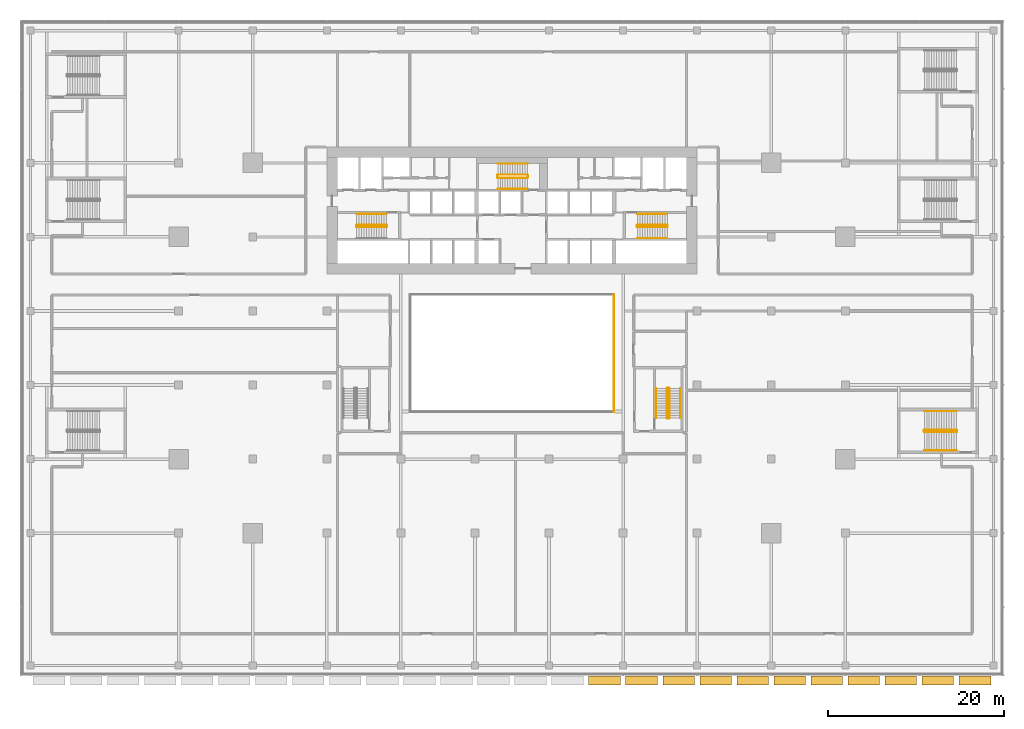
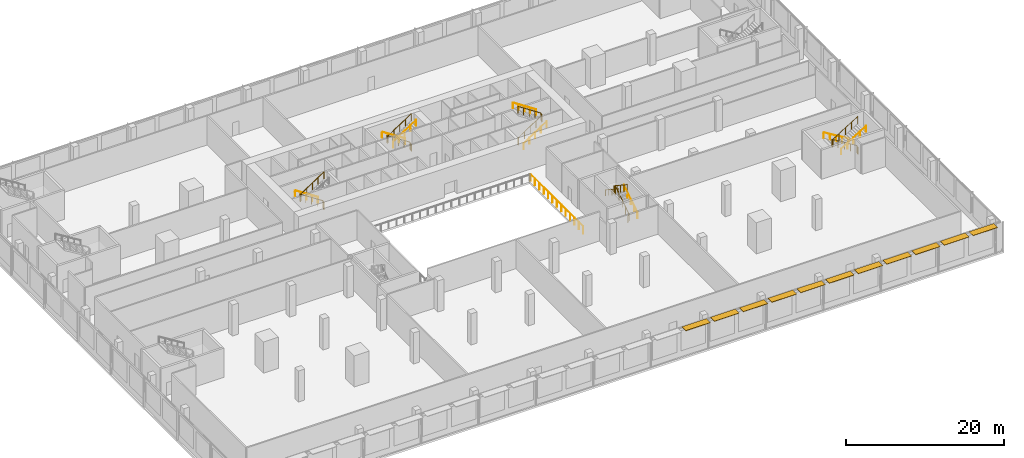
# One storey, part 38 of 39: 15 railings, 11 shading devices.
"""IFC4 building model written with IfcOpenShell, lengths in metres."""

from ifc_helpers import new_model, si_unit, direction, frame, origin, origin_2d, place, context, subcontext, project, spatial, rectangle, circle, extrude, material, type_object, element, save


model = new_model("IFC4")

# Units and contexts
model_context = context("Model", 3, precision=1e-05, world=origin(), true_north=direction((0.0, 1.0)))
body_context = subcontext(model_context, "Body", "Model", "MODEL_VIEW")
ifc_project = project(units=[si_unit("LENGTHUNIT", "METRE"), si_unit("AREAUNIT", "SQUARE_METRE"), si_unit("VOLUMEUNIT", "CUBIC_METRE"), si_unit("PLANEANGLEUNIT", "RADIAN"), si_unit("MASSUNIT", "GRAM", prefix="KILO")], contexts=[model_context])

# Site, building, storey
site_placement = place(None, origin())
site = spatial("IfcSite", under=ifc_project, at=site_placement, CompositionType="ELEMENT")
building_placement = place(site_placement, origin())
building = spatial("IfcBuilding", under=site, at=building_placement, Name="Saffron Gate Tower", CompositionType="ELEMENT")
storey_placement = place(building_placement, frame((0.0, 0.0, 14.39990234375)))
storey = spatial("IfcBuildingStorey", under=building, at=storey_placement, Name="L02", CompositionType="ELEMENT", Elevation=14.39990234375)

# Railings
ifc_material_1 = material(Name="Stainless steel and laminated glass", Category="steel")
railing_type_1 = type_object("IfcRailingType", Name="AG1 Atrium edge guard 1100", PredefinedType="GUARDRAIL", material=ifc_material_1)
railing_1_placement = place(storey_placement, frame((99.179931640625, 58.860107421875, 0.0)))
element("IfcRailing", 1, at=railing_1_placement, inside=storey, type_object=railing_type_1, Name="Guard P2-3", PredefinedType="GUARDRAIL", context=body_context, shape_type="SweptSolid", body=[
    extrude(circle(Radius=0.02392578125, at=origin_2d()), frame((0.0, 0.0, 1.076171875), z_axis=(0.0, -1.0, 0.0), x_axis=(1.0, 0.0, 0.0)), (0.0, 0.0, 1.0), 13.320068359375),
    extrude(circle(Radius=0.02099609375, at=origin_2d()), origin(), (0.0, 0.0, 1.0), 1.052001953125),
    extrude(circle(Radius=0.02099609375, at=origin_2d()), frame((0.0, -1.110107421875, 0.0)), (0.0, 0.0, 1.0), 1.052001953125),
    extrude(circle(Radius=0.02099609375, at=origin_2d()), frame((0.0, -2.219970703125, 0.0)), (0.0, 0.0, 1.0), 1.052001953125),
    extrude(circle(Radius=0.02099609375, at=origin_2d()), frame((0.0, -3.330078125, 0.0)), (0.0, 0.0, 1.0), 1.052001953125),
    extrude(circle(Radius=0.02099609375, at=origin_2d()), frame((0.0, -4.43994140625, 0.0)), (0.0, 0.0, 1.0), 1.052001953125),
    extrude(circle(Radius=0.02099609375, at=origin_2d()), frame((0.0, -5.550048828125, 0.0)), (0.0, 0.0, 1.0), 1.052001953125),
    extrude(circle(Radius=0.02099609375, at=origin_2d()), frame((0.0, -6.66015625, 0.0)), (0.0, 0.0, 1.0), 1.052001953125),
    extrude(circle(Radius=0.02099609375, at=origin_2d()), frame((0.0, -7.77001953125, 0.0)), (0.0, 0.0, 1.0), 1.052001953125),
    extrude(circle(Radius=0.02099609375, at=origin_2d()), frame((0.0, -8.880126953125, 0.0)), (0.0, 0.0, 1.0), 1.052001953125),
    extrude(circle(Radius=0.02099609375, at=origin_2d()), frame((0.0, -9.989990234375, 0.0)), (0.0, 0.0, 1.0), 1.052001953125),
    extrude(circle(Radius=0.02099609375, at=origin_2d()), frame((0.0, -11.10009765625, 0.0)), (0.0, 0.0, 1.0), 1.052001953125),
    extrude(circle(Radius=0.02099609375, at=origin_2d()), frame((0.0, -12.2099609375, 0.0)), (0.0, 0.0, 1.0), 1.052001953125),
    extrude(circle(Radius=0.02099609375, at=origin_2d()), frame((0.0, -13.320068359375, 0.0)), (0.0, 0.0, 1.0), 1.052001953125),
])
railing_type_2 = type_object("IfcRailingType", Name="CR1 Stair guard 1100", PredefinedType="GUARDRAIL", material=ifc_material_1)
railing_2_placement = place(storey_placement, frame((73.39990234375, 66.550048828125, 0.0)))
element("IfcRailing", 2, at=railing_2_placement, inside=storey, type_object=railing_type_2, Name="L02 ST-A stair guard 1", PredefinedType="GUARDRAIL", context=body_context, shape_type="SweptSolid", body=[
    extrude(circle(Radius=0.02392578125, at=origin_2d()), frame((0.0, 0.0, 1.076171875), z_axis=(0.0, 1.0, 0.0), x_axis=(-1.0, 0.0, 0.0)), (0.0, 0.0, 1.0), 0.14990234375),
    extrude(circle(Radius=0.02392578125, at=origin_2d()), frame((0.0, 0.14990234375, 1.076171875), z_axis=(-0.251738688881, 0.252972702061, 0.934147977856), x_axis=(-0.708833529934, -0.705375805398, 0.0)), (0.0, 0.0, 1.0), 0.19775390625),
    extrude(circle(Radius=0.02392578125, at=origin_2d()), frame((-0.0498046875, 0.199951171875, 1.2607421875), z_axis=(-0.834876476806, 0.0, 0.550437342915), x_axis=(0.0, -1.0, 0.0)), (0.0, 0.0, 1.0), 4.024658203125),
    extrude(circle(Radius=0.02392578125, at=origin_2d()), frame((-3.409912109375, 0.199951171875, 3.47607421875), z_axis=(-0.707106781187, -0.707106781187, 0.0), x_axis=(0.707106781187, -0.707106781187, 0.0)), (0.0, 0.0, 1.0), 0.07080078125),
    extrude(circle(Radius=0.02392578125, at=origin_2d()), frame((-3.4599609375, 0.14990234375, 3.47607421875), z_axis=(0.0, -1.0, 0.0), x_axis=(1.0, 0.0, 0.0)), (0.0, 0.0, 1.0), 0.14990234375),
    extrude(circle(Radius=0.02392578125, at=origin_2d()), frame((-3.4599609375, 0.0, 3.47607421875), z_axis=(0.253185614162, -0.253185614162, 0.933699142959), x_axis=(0.707106781187, 0.707106781187, 0.0)), (0.0, 0.0, 1.0), 0.19775390625),
    extrude(circle(Radius=0.02392578125, at=origin_2d()), frame((-3.409912109375, -0.050048828125, 3.66064453125), z_axis=(0.834876476806, 0.0, 0.550437342915), x_axis=(0.0, 1.0, 0.0)), (0.0, 0.0, 1.0), 4.024658203125),
    extrude(circle(Radius=0.02099609375, at=origin_2d()), origin(), (0.0, 0.0, 1.0), 1.052001953125),
    extrude(circle(Radius=0.02099609375, at=origin_2d()), frame((0.0, 0.14990234375, 0.0)), (0.0, 0.0, 1.0), 1.052001953125),
    extrude(circle(Radius=0.02099609375, at=origin_2d()), frame((-0.0498046875, 0.199951171875, 0.184814453125)), (0.0, 0.0, 1.0), 1.052001953125),
    extrude(circle(Radius=0.02099609375, at=origin_2d()), frame((-0.889892578125, 0.199951171875, 0.73876953125)), (0.0, 0.0, 1.0), 1.052001953125),
    extrude(circle(Radius=0.02099609375, at=origin_2d()), frame((-1.72998046875, 0.199951171875, 1.29248046875)), (0.0, 0.0, 1.0), 1.052001953125),
    extrude(circle(Radius=0.02099609375, at=origin_2d()), frame((-2.56982421875, 0.199951171875, 1.84619140625)), (0.0, 0.0, 1.0), 1.052001953125),
    extrude(circle(Radius=0.02099609375, at=origin_2d()), frame((-3.409912109375, 0.199951171875, 2.400146484375)), (0.0, 0.0, 1.0), 1.052001953125),
    extrude(circle(Radius=0.02099609375, at=origin_2d()), frame((-3.4599609375, 0.14990234375, 2.400146484375)), (0.0, 0.0, 1.0), 1.052001953125),
    extrude(circle(Radius=0.02099609375, at=origin_2d()), frame((-3.4599609375, 0.0, 2.400146484375)), (0.0, 0.0, 1.0), 1.052001953125),
    extrude(circle(Radius=0.02099609375, at=origin_2d()), frame((-3.409912109375, -0.050048828125, 2.584716796875)), (0.0, 0.0, 1.0), 1.052001953125),
    extrude(circle(Radius=0.02099609375, at=origin_2d()), frame((-2.56982421875, -0.050048828125, 3.138671875)), (0.0, 0.0, 1.0), 1.052001953125),
    extrude(circle(Radius=0.02099609375, at=origin_2d()), frame((-1.72998046875, -0.050048828125, 3.6923828125)), (0.0, 0.0, 1.0), 1.052001953125),
    extrude(circle(Radius=0.02099609375, at=origin_2d()), frame((-0.889892578125, -0.050048828125, 4.24609375)), (0.0, 0.0, 1.0), 1.052001953125),
    extrude(circle(Radius=0.02099609375, at=origin_2d()), frame((-0.0498046875, -0.050048828125, 4.800048828125)), (0.0, 0.0, 1.0), 1.052001953125),
])
railing_3_placement = place(storey_placement, frame((101.800048828125, 66.699951171875, 0.0)))
element("IfcRailing", 3, at=railing_3_placement, inside=storey, type_object=railing_type_2, Name="L02 ST-B stair guard 1", PredefinedType="GUARDRAIL", context=body_context, shape_type="SweptSolid", body=[
    extrude(circle(Radius=0.02392578125, at=origin_2d()), frame((0.0, 0.0, 1.076171875), z_axis=(0.0, -1.0, 0.0), x_axis=(1.0, 0.0, 0.0)), (0.0, 0.0, 1.0), 0.14990234375),
    extrude(circle(Radius=0.02392578125, at=origin_2d()), frame((0.0, -0.14990234375, 1.076171875), z_axis=(0.252893960547, -0.252893960547, 0.933857210411), x_axis=(0.707106781187, 0.707106781187, 0.0)), (0.0, 0.0, 1.0), 0.197998046875),
    extrude(circle(Radius=0.02392578125, at=origin_2d()), frame((0.050048828125, -0.199951171875, 1.2607421875), z_axis=(0.834858096282, 0.0, 0.550465220583), x_axis=(0.0, 1.0, 0.0)), (0.0, 0.0, 1.0), 4.0244140625),
    extrude(circle(Radius=0.02392578125, at=origin_2d()), frame((3.409912109375, -0.199951171875, 3.47607421875), z_axis=(0.707106781187, 0.707106781187, 0.0), x_axis=(-0.707106781187, 0.707106781187, 0.0)), (0.0, 0.0, 1.0), 0.07080078125),
    extrude(circle(Radius=0.02392578125, at=origin_2d()), frame((3.4599609375, -0.14990234375, 3.47607421875), z_axis=(0.0, 1.0, 0.0), x_axis=(-1.0, 0.0, 0.0)), (0.0, 0.0, 1.0), 0.14990234375),
    extrude(circle(Radius=0.02392578125, at=origin_2d()), frame((3.4599609375, 0.0, 3.47607421875), z_axis=(-0.253185614162, 0.253185614162, 0.933699142959), x_axis=(-0.707106781187, -0.707106781187, 0.0)), (0.0, 0.0, 1.0), 0.19775390625),
    extrude(circle(Radius=0.02392578125, at=origin_2d()), frame((3.409912109375, 0.050048828125, 3.66064453125), z_axis=(-0.834858096282, 0.0, 0.550465220583), x_axis=(0.0, -1.0, 0.0)), (0.0, 0.0, 1.0), 4.0244140625),
    extrude(circle(Radius=0.02099609375, at=origin_2d()), origin(), (0.0, 0.0, 1.0), 1.052001953125),
    extrude(circle(Radius=0.02099609375, at=origin_2d()), frame((0.0, -0.14990234375, 0.0)), (0.0, 0.0, 1.0), 1.052001953125),
    extrude(circle(Radius=0.02099609375, at=origin_2d()), frame((0.050048828125, -0.199951171875, 0.184814453125)), (0.0, 0.0, 1.0), 1.052001953125),
    extrude(circle(Radius=0.02099609375, at=origin_2d()), frame((0.89013671875, -0.199951171875, 0.73876953125)), (0.0, 0.0, 1.0), 1.052001953125),
    extrude(circle(Radius=0.02099609375, at=origin_2d()), frame((1.72998046875, -0.199951171875, 1.29248046875)), (0.0, 0.0, 1.0), 1.052001953125),
    extrude(circle(Radius=0.02099609375, at=origin_2d()), frame((2.56982421875, -0.199951171875, 1.84619140625)), (0.0, 0.0, 1.0), 1.052001953125),
    extrude(circle(Radius=0.02099609375, at=origin_2d()), frame((3.409912109375, -0.199951171875, 2.400146484375)), (0.0, 0.0, 1.0), 1.052001953125),
    extrude(circle(Radius=0.02099609375, at=origin_2d()), frame((3.4599609375, -0.14990234375, 2.400146484375)), (0.0, 0.0, 1.0), 1.052001953125),
    extrude(circle(Radius=0.02099609375, at=origin_2d()), frame((3.4599609375, 0.0, 2.400146484375)), (0.0, 0.0, 1.0), 1.052001953125),
    extrude(circle(Radius=0.02099609375, at=origin_2d()), frame((3.409912109375, 0.050048828125, 2.584716796875)), (0.0, 0.0, 1.0), 1.052001953125),
    extrude(circle(Radius=0.02099609375, at=origin_2d()), frame((2.56982421875, 0.050048828125, 3.138671875)), (0.0, 0.0, 1.0), 1.052001953125),
    extrude(circle(Radius=0.02099609375, at=origin_2d()), frame((1.72998046875, 0.050048828125, 3.6923828125)), (0.0, 0.0, 1.0), 1.052001953125),
    extrude(circle(Radius=0.02099609375, at=origin_2d()), frame((0.89013671875, 0.050048828125, 4.24609375)), (0.0, 0.0, 1.0), 1.052001953125),
    extrude(circle(Radius=0.02099609375, at=origin_2d()), frame((0.050048828125, 0.050048828125, 4.800048828125)), (0.0, 0.0, 1.0), 1.052001953125),
])
railing_4_placement = place(storey_placement, frame((89.39990234375, 72.14990234375, 0.0)))
element("IfcRailing", 4, at=railing_4_placement, inside=storey, type_object=railing_type_2, Name="L02 ST-C stair guard 1", PredefinedType="GUARDRAIL", context=body_context, shape_type="SweptSolid", body=[
    extrude(circle(Radius=0.02392578125, at=origin_2d()), frame((0.0, 0.0, 1.076171875), z_axis=(0.0, 1.0, 0.0), x_axis=(-1.0, 0.0, 0.0)), (0.0, 0.0, 1.0), 0.25),
    extrude(circle(Radius=0.02392578125, at=origin_2d()), frame((0.0, 0.25, 1.076171875), z_axis=(-0.251738688881, 0.252972702061, 0.934147977856), x_axis=(-0.708833529934, -0.705375805398, 0.0)), (0.0, 0.0, 1.0), 0.19775390625),
    extrude(circle(Radius=0.02392578125, at=origin_2d()), frame((-0.0498046875, 0.300048828125, 1.2607421875), z_axis=(-0.834876476806, 0.0, 0.550437342915), x_axis=(0.0, -1.0, 0.0)), (0.0, 0.0, 1.0), 4.024658203125),
    extrude(circle(Radius=0.02392578125, at=origin_2d()), frame((-3.409912109375, 0.300048828125, 3.47607421875), z_axis=(-0.707106781187, -0.707106781187, 0.0), x_axis=(0.707106781187, -0.707106781187, 0.0)), (0.0, 0.0, 1.0), 0.07080078125),
    extrude(circle(Radius=0.02392578125, at=origin_2d()), frame((-3.4599609375, 0.25, 3.47607421875), z_axis=(0.0, -1.0, 0.0), x_axis=(1.0, 0.0, 0.0)), (0.0, 0.0, 1.0), 0.25),
    extrude(circle(Radius=0.02392578125, at=origin_2d()), frame((-3.4599609375, 0.0, 3.47607421875), z_axis=(0.253264628505, -0.252029191293, 0.933990532438), x_axis=(0.705375805398, 0.708833529934, 0.0)), (0.0, 0.0, 1.0), 0.197509765625),
    extrude(circle(Radius=0.02392578125, at=origin_2d()), frame((-3.409912109375, -0.0498046875, 3.66064453125), z_axis=(0.834876476806, 0.0, 0.550437342915), x_axis=(0.0, 1.0, 0.0)), (0.0, 0.0, 1.0), 4.024658203125),
    extrude(circle(Radius=0.02099609375, at=origin_2d()), origin(), (0.0, 0.0, 1.0), 1.052001953125),
    extrude(circle(Radius=0.02099609375, at=origin_2d()), frame((0.0, 0.25, 0.0)), (0.0, 0.0, 1.0), 1.052001953125),
    extrude(circle(Radius=0.02099609375, at=origin_2d()), frame((-0.0498046875, 0.300048828125, 0.184814453125)), (0.0, 0.0, 1.0), 1.052001953125),
    extrude(circle(Radius=0.02099609375, at=origin_2d()), frame((-0.889892578125, 0.300048828125, 0.73876953125)), (0.0, 0.0, 1.0), 1.052001953125),
    extrude(circle(Radius=0.02099609375, at=origin_2d()), frame((-1.72998046875, 0.300048828125, 1.29248046875)), (0.0, 0.0, 1.0), 1.052001953125),
    extrude(circle(Radius=0.02099609375, at=origin_2d()), frame((-2.56982421875, 0.300048828125, 1.84619140625)), (0.0, 0.0, 1.0), 1.052001953125),
    extrude(circle(Radius=0.02099609375, at=origin_2d()), frame((-3.409912109375, 0.300048828125, 2.400146484375)), (0.0, 0.0, 1.0), 1.052001953125),
    extrude(circle(Radius=0.02099609375, at=origin_2d()), frame((-3.4599609375, 0.25, 2.400146484375)), (0.0, 0.0, 1.0), 1.052001953125),
    extrude(circle(Radius=0.02099609375, at=origin_2d()), frame((-3.4599609375, 0.0, 2.400146484375)), (0.0, 0.0, 1.0), 1.052001953125),
    extrude(circle(Radius=0.02099609375, at=origin_2d()), frame((-3.409912109375, -0.0498046875, 2.584716796875)), (0.0, 0.0, 1.0), 1.052001953125),
    extrude(circle(Radius=0.02099609375, at=origin_2d()), frame((-2.56982421875, -0.0498046875, 3.138671875)), (0.0, 0.0, 1.0), 1.052001953125),
    extrude(circle(Radius=0.02099609375, at=origin_2d()), frame((-1.72998046875, -0.0498046875, 3.6923828125)), (0.0, 0.0, 1.0), 1.052001953125),
    extrude(circle(Radius=0.02099609375, at=origin_2d()), frame((-0.889892578125, -0.0498046875, 4.24609375)), (0.0, 0.0, 1.0), 1.052001953125),
    extrude(circle(Radius=0.02099609375, at=origin_2d()), frame((-0.0498046875, -0.0498046875, 4.800048828125)), (0.0, 0.0, 1.0), 1.052001953125),
])
railing_5_placement = place(storey_placement, frame((105.25, 44.800048828125, 0.0)))
element("IfcRailing", 5, at=railing_5_placement, inside=storey, type_object=railing_type_2, Name="L02 ST-E stair guard 1", PredefinedType="GUARDRAIL", context=body_context, shape_type="SweptSolid", body=[
    extrude(circle(Radius=0.02392578125, at=origin_2d()), frame((0.0, 0.0, 1.076171875), z_axis=(1.0, 0.0, 0.0), x_axis=(0.0, 1.0, 0.0)), (0.0, 0.0, 1.0), 0.14990234375),
    extrude(circle(Radius=0.02392578125, at=origin_2d()), frame((0.14990234375, 0.0, 1.076171875), z_axis=(0.252893960547, 0.252893960547, 0.933857210411), x_axis=(-0.707106781187, 0.707106781187, 0.0)), (0.0, 0.0, 1.0), 0.197998046875),
    extrude(circle(Radius=0.02392578125, at=origin_2d()), frame((0.199951171875, 0.050048828125, 1.2607421875), z_axis=(0.0, 0.834858096282, 0.550465220583), x_axis=(-1.0, 0.0, 0.0)), (0.0, 0.0, 1.0), 4.0244140625),
    extrude(circle(Radius=0.02392578125, at=origin_2d()), frame((0.199951171875, 3.409912109375, 3.47607421875), z_axis=(-0.707106781187, 0.707106781187, 0.0), x_axis=(-0.707106781187, -0.707106781187, 0.0)), (0.0, 0.0, 1.0), 0.07080078125),
    extrude(circle(Radius=0.02392578125, at=origin_2d()), frame((0.14990234375, 3.4599609375, 3.47607421875), z_axis=(-1.0, 0.0, 0.0), x_axis=(0.0, -1.0, 0.0)), (0.0, 0.0, 1.0), 0.14990234375),
    extrude(circle(Radius=0.02392578125, at=origin_2d()), frame((0.0, 3.4599609375, 3.47607421875), z_axis=(-0.253185614162, -0.253185614162, 0.933699142959), x_axis=(0.707106781187, -0.707106781187, 0.0)), (0.0, 0.0, 1.0), 0.19775390625),
    extrude(circle(Radius=0.02392578125, at=origin_2d()), frame((-0.050048828125, 3.409912109375, 3.66064453125), z_axis=(0.0, -0.834858096282, 0.550465220583), x_axis=(1.0, 0.0, 0.0)), (0.0, 0.0, 1.0), 4.0244140625),
    extrude(circle(Radius=0.02099609375, at=origin_2d()), origin(), (0.0, 0.0, 1.0), 1.052001953125),
    extrude(circle(Radius=0.02099609375, at=origin_2d()), frame((0.14990234375, 0.0, 0.0)), (0.0, 0.0, 1.0), 1.052001953125),
    extrude(circle(Radius=0.02099609375, at=origin_2d()), frame((0.199951171875, 0.050048828125, 0.184814453125)), (0.0, 0.0, 1.0), 1.052001953125),
    extrude(circle(Radius=0.02099609375, at=origin_2d()), frame((0.199951171875, 0.89013671875, 0.73876953125)), (0.0, 0.0, 1.0), 1.052001953125),
    extrude(circle(Radius=0.02099609375, at=origin_2d()), frame((0.199951171875, 1.72998046875, 1.29248046875)), (0.0, 0.0, 1.0), 1.052001953125),
    extrude(circle(Radius=0.02099609375, at=origin_2d()), frame((0.199951171875, 2.56982421875, 1.84619140625)), (0.0, 0.0, 1.0), 1.052001953125),
    extrude(circle(Radius=0.02099609375, at=origin_2d()), frame((0.199951171875, 3.409912109375, 2.400146484375)), (0.0, 0.0, 1.0), 1.052001953125),
    extrude(circle(Radius=0.02099609375, at=origin_2d()), frame((0.14990234375, 3.4599609375, 2.400146484375)), (0.0, 0.0, 1.0), 1.052001953125),
    extrude(circle(Radius=0.02099609375, at=origin_2d()), frame((0.0, 3.4599609375, 2.400146484375)), (0.0, 0.0, 1.0), 1.052001953125),
    extrude(circle(Radius=0.02099609375, at=origin_2d()), frame((-0.050048828125, 3.409912109375, 2.584716796875)), (0.0, 0.0, 1.0), 1.052001953125),
    extrude(circle(Radius=0.02099609375, at=origin_2d()), frame((-0.050048828125, 2.56982421875, 3.138671875)), (0.0, 0.0, 1.0), 1.052001953125),
    extrude(circle(Radius=0.02099609375, at=origin_2d()), frame((-0.050048828125, 1.72998046875, 3.6923828125)), (0.0, 0.0, 1.0), 1.052001953125),
    extrude(circle(Radius=0.02099609375, at=origin_2d()), frame((-0.050048828125, 0.89013671875, 4.24609375)), (0.0, 0.0, 1.0), 1.052001953125),
    extrude(circle(Radius=0.02099609375, at=origin_2d()), frame((-0.050048828125, 0.050048828125, 4.800048828125)), (0.0, 0.0, 1.0), 1.052001953125),
])
railing_6_placement = place(storey_placement, frame((138.050048828125, 43.324951171875, 0.0)))
element("IfcRailing", 6, at=railing_6_placement, inside=storey, type_object=railing_type_2, Name="L02 ST-K stair guard 1", PredefinedType="GUARDRAIL", context=body_context, shape_type="SweptSolid", body=[
    extrude(circle(Radius=0.02392578125, at=origin_2d()), frame((0.0, 0.0, 1.076171875), z_axis=(0.0, 1.0, 0.0), x_axis=(-1.0, 0.0, 0.0)), (0.0, 0.0, 1.0), 0.150146484375),
    extrude(circle(Radius=0.02392578125, at=origin_2d()), frame((0.0, 0.150146484375, 1.076171875), z_axis=(-0.269678486558, 0.268362981746, 0.924799883173), x_axis=(-0.705375805398, -0.708833529934, 0.0)), (0.0, 0.0, 1.0), 0.185546875),
    extrude(circle(Radius=0.02392578125, at=origin_2d()), frame((-0.050048828125, 0.199951171875, 1.24755859375), z_axis=(-0.852850264322, 0.0, 0.5221555579), x_axis=(0.0, -1.0, 0.0)), (0.0, 0.0, 1.0), 4.267822265625),
    extrude(circle(Radius=0.02392578125, at=origin_2d()), frame((-3.68994140625, 0.199951171875, 3.47607421875), z_axis=(-0.708833529934, -0.705375805398, 0.0), x_axis=(0.705375805398, -0.708833529934, 0.0)), (0.0, 0.0, 1.0), 0.070556640625),
    extrude(circle(Radius=0.02392578125, at=origin_2d()), frame((-3.739990234375, 0.150146484375, 3.47607421875), z_axis=(0.0, -1.0, 0.0), x_axis=(1.0, 0.0, 0.0)), (0.0, 0.0, 1.0), 0.150146484375),
    extrude(circle(Radius=0.02392578125, at=origin_2d()), frame((-3.739990234375, 0.0, 3.47607421875), z_axis=(0.269911200495, -0.269911200495, 0.924281281696), x_axis=(0.707106781187, 0.707106781187, 0.0)), (0.0, 0.0, 1.0), 0.185546875),
    extrude(circle(Radius=0.02392578125, at=origin_2d()), frame((-3.68994140625, -0.050048828125, 3.6474609375), z_axis=(0.852850264322, 0.0, 0.5221555579), x_axis=(0.0, 1.0, 0.0)), (0.0, 0.0, 1.0), 4.267822265625),
    extrude(circle(Radius=0.02099609375, at=origin_2d()), origin(), (0.0, 0.0, 1.0), 1.052001953125),
    extrude(circle(Radius=0.02099609375, at=origin_2d()), frame((0.0, 0.150146484375, 0.0)), (0.0, 0.0, 1.0), 1.052001953125),
    extrude(circle(Radius=0.02099609375, at=origin_2d()), frame((-0.050048828125, 0.199951171875, 0.171630859375)), (0.0, 0.0, 1.0), 1.052001953125),
    extrude(circle(Radius=0.02099609375, at=origin_2d()), frame((-0.9599609375, 0.199951171875, 0.728759765625)), (0.0, 0.0, 1.0), 1.052001953125),
    extrude(circle(Radius=0.02099609375, at=origin_2d()), frame((-1.8701171875, 0.199951171875, 1.285888671875)), (0.0, 0.0, 1.0), 1.052001953125),
    extrude(circle(Radius=0.02099609375, at=origin_2d()), frame((-2.780029296875, 0.199951171875, 1.843017578125)), (0.0, 0.0, 1.0), 1.052001953125),
    extrude(circle(Radius=0.02099609375, at=origin_2d()), frame((-3.68994140625, 0.199951171875, 2.400146484375)), (0.0, 0.0, 1.0), 1.052001953125),
    extrude(circle(Radius=0.02099609375, at=origin_2d()), frame((-3.739990234375, 0.150146484375, 2.400146484375)), (0.0, 0.0, 1.0), 1.052001953125),
    extrude(circle(Radius=0.02099609375, at=origin_2d()), frame((-3.739990234375, 0.0, 2.400146484375)), (0.0, 0.0, 1.0), 1.052001953125),
    extrude(circle(Radius=0.02099609375, at=origin_2d()), frame((-3.68994140625, -0.050048828125, 2.571533203125)), (0.0, 0.0, 1.0), 1.052001953125),
    extrude(circle(Radius=0.02099609375, at=origin_2d()), frame((-2.780029296875, -0.050048828125, 3.128662109375)), (0.0, 0.0, 1.0), 1.052001953125),
    extrude(circle(Radius=0.02099609375, at=origin_2d()), frame((-1.8701171875, -0.050048828125, 3.685791015625)), (0.0, 0.0, 1.0), 1.052001953125),
    extrude(circle(Radius=0.02099609375, at=origin_2d()), frame((-0.9599609375, -0.050048828125, 4.242919921875)), (0.0, 0.0, 1.0), 1.052001953125),
    extrude(circle(Radius=0.02099609375, at=origin_2d()), frame((-0.050048828125, -0.050048828125, 4.800048828125)), (0.0, 0.0, 1.0), 1.052001953125),
])
ifc_material_2 = material(Name="Stainless steel", Category="steel")
railing_type_3 = type_object("IfcRailingType", Name="CR2 Stair handrail 900", PredefinedType="HANDRAIL", material=ifc_material_2)
railing_7_placement = place(storey_placement, frame((73.35009765625, 68.0, 0.184814453125)))
element("IfcRailing", 7, at=railing_7_placement, inside=storey, type_object=railing_type_3, Name="L02 ST-A stair handrail 1", PredefinedType="HANDRAIL", context=body_context, shape_type="SweptSolid", body=[
    extrude(circle(Radius=0.02392578125, at=origin_2d()), frame((0.0, 0.0, 0.8759765625), z_axis=(-0.834876476806, 0.0, 0.550437342915), x_axis=(0.0, -1.0, 0.0)), (0.0, 0.0, 1.0), 4.024658203125),
    extrude(circle(Radius=0.02099609375, at=origin_2d()), origin(), (0.0, 0.0, 1.0), 0.851806640625),
    extrude(circle(Radius=0.02099609375, at=origin_2d()), frame((-0.840087890625, 0.0, 0.5537109375)), (0.0, 0.0, 1.0), 0.851806640625),
    extrude(circle(Radius=0.02099609375, at=origin_2d()), frame((-1.68017578125, 0.0, 1.107666015625)), (0.0, 0.0, 1.0), 0.851806640625),
    extrude(circle(Radius=0.02099609375, at=origin_2d()), frame((-2.52001953125, 0.0, 1.66162109375)), (0.0, 0.0, 1.0), 0.851806640625),
    extrude(circle(Radius=0.02099609375, at=origin_2d()), frame((-3.360107421875, 0.0, 2.21533203125)), (0.0, 0.0, 1.0), 0.851806640625),
])
railing_8_placement = place(storey_placement, frame((101.85009765625, 65.25, 0.184814453125)))
element("IfcRailing", 8, at=railing_8_placement, inside=storey, type_object=railing_type_3, Name="L02 ST-B stair handrail 1", PredefinedType="HANDRAIL", context=body_context, shape_type="SweptSolid", body=[
    extrude(circle(Radius=0.02392578125, at=origin_2d()), frame((0.0, 0.0, 0.8759765625), z_axis=(0.834858096282, 0.0, 0.550465220583), x_axis=(0.0, 1.0, 0.0)), (0.0, 0.0, 1.0), 4.0244140625),
    extrude(circle(Radius=0.02099609375, at=origin_2d()), origin(), (0.0, 0.0, 1.0), 0.851806640625),
    extrude(circle(Radius=0.02099609375, at=origin_2d()), frame((0.83984375, 0.0, 0.5537109375)), (0.0, 0.0, 1.0), 0.851806640625),
    extrude(circle(Radius=0.02099609375, at=origin_2d()), frame((1.679931640625, 0.0, 1.107666015625)), (0.0, 0.0, 1.0), 0.851806640625),
    extrude(circle(Radius=0.02099609375, at=origin_2d()), frame((2.52001953125, 0.0, 1.66162109375)), (0.0, 0.0, 1.0), 0.851806640625),
    extrude(circle(Radius=0.02099609375, at=origin_2d()), frame((3.35986328125, 0.0, 2.21533203125)), (0.0, 0.0, 1.0), 0.851806640625),
])
railing_9_placement = place(storey_placement, frame((105.2099609375, 68.0, 2.584716796875)))
element("IfcRailing", 9, at=railing_9_placement, inside=storey, type_object=railing_type_3, Name="L02 ST-B stair handrail 2", PredefinedType="HANDRAIL", context=body_context, shape_type="SweptSolid", body=[
    extrude(circle(Radius=0.02392578125, at=origin_2d()), frame((0.0, 0.0, 0.8759765625), z_axis=(-0.834858096282, 0.0, 0.550465220583), x_axis=(0.0, -1.0, 0.0)), (0.0, 0.0, 1.0), 4.0244140625),
    extrude(circle(Radius=0.02099609375, at=origin_2d()), origin(), (0.0, 0.0, 1.0), 0.851806640625),
    extrude(circle(Radius=0.02099609375, at=origin_2d()), frame((-0.83984375, 0.0, 0.5537109375)), (0.0, 0.0, 1.0), 0.851806640625),
    extrude(circle(Radius=0.02099609375, at=origin_2d()), frame((-1.679931640625, 0.0, 1.107666015625)), (0.0, 0.0, 1.0), 0.851806640625),
    extrude(circle(Radius=0.02099609375, at=origin_2d()), frame((-2.52001953125, 0.0, 1.66162109375)), (0.0, 0.0, 1.0), 0.851806640625),
    extrude(circle(Radius=0.02099609375, at=origin_2d()), frame((-3.35986328125, 0.0, 2.21533203125)), (0.0, 0.0, 1.0), 0.851806640625),
])
railing_10_placement = place(storey_placement, frame((89.35009765625, 73.699951171875, 0.184814453125)))
element("IfcRailing", 10, at=railing_10_placement, inside=storey, type_object=railing_type_3, Name="L02 ST-C stair handrail 1", PredefinedType="HANDRAIL", context=body_context, shape_type="SweptSolid", body=[
    extrude(circle(Radius=0.02392578125, at=origin_2d()), frame((0.0, 0.0, 0.8759765625), z_axis=(-0.834876476806, 0.0, 0.550437342915), x_axis=(0.0, -1.0, 0.0)), (0.0, 0.0, 1.0), 4.024658203125),
    extrude(circle(Radius=0.02099609375, at=origin_2d()), origin(), (0.0, 0.0, 1.0), 0.851806640625),
    extrude(circle(Radius=0.02099609375, at=origin_2d()), frame((-0.840087890625, 0.0, 0.5537109375)), (0.0, 0.0, 1.0), 0.851806640625),
    extrude(circle(Radius=0.02099609375, at=origin_2d()), frame((-1.68017578125, 0.0, 1.107666015625)), (0.0, 0.0, 1.0), 0.851806640625),
    extrude(circle(Radius=0.02099609375, at=origin_2d()), frame((-2.52001953125, 0.0, 1.66162109375)), (0.0, 0.0, 1.0), 0.851806640625),
    extrude(circle(Radius=0.02099609375, at=origin_2d()), frame((-3.360107421875, 0.0, 2.21533203125)), (0.0, 0.0, 1.0), 0.851806640625),
])
railing_11_placement = place(storey_placement, frame((85.989990234375, 70.85009765625, 2.584716796875)))
element("IfcRailing", 11, at=railing_11_placement, inside=storey, type_object=railing_type_3, Name="L02 ST-C stair handrail 2", PredefinedType="HANDRAIL", context=body_context, shape_type="SweptSolid", body=[
    extrude(circle(Radius=0.02392578125, at=origin_2d()), frame((0.0, 0.0, 0.8759765625), z_axis=(0.834876476806, 0.0, 0.550437342915), x_axis=(0.0, 1.0, 0.0)), (0.0, 0.0, 1.0), 4.024658203125),
    extrude(circle(Radius=0.02099609375, at=origin_2d()), origin(), (0.0, 0.0, 1.0), 0.851806640625),
    extrude(circle(Radius=0.02099609375, at=origin_2d()), frame((0.840087890625, 0.0, 0.5537109375)), (0.0, 0.0, 1.0), 0.851806640625),
    extrude(circle(Radius=0.02099609375, at=origin_2d()), frame((1.68017578125, 0.0, 1.107666015625)), (0.0, 0.0, 1.0), 0.851806640625),
    extrude(circle(Radius=0.02099609375, at=origin_2d()), frame((2.52001953125, 0.0, 1.66162109375)), (0.0, 0.0, 1.0), 0.851806640625),
    extrude(circle(Radius=0.02099609375, at=origin_2d()), frame((3.360107421875, 0.0, 2.21533203125)), (0.0, 0.0, 1.0), 0.851806640625),
])
railing_12_placement = place(storey_placement, frame((106.699951171875, 44.85009765625, 0.184814453125)))
element("IfcRailing", 12, at=railing_12_placement, inside=storey, type_object=railing_type_3, Name="L02 ST-E stair handrail 1", PredefinedType="HANDRAIL", context=body_context, shape_type="SweptSolid", body=[
    extrude(circle(Radius=0.02392578125, at=origin_2d()), frame((0.0, 0.0, 0.8759765625), z_axis=(0.0, 0.834858096282, 0.550465220583), x_axis=(-1.0, 0.0, 0.0)), (0.0, 0.0, 1.0), 4.0244140625),
    extrude(circle(Radius=0.02099609375, at=origin_2d()), origin(), (0.0, 0.0, 1.0), 0.851806640625),
    extrude(circle(Radius=0.02099609375, at=origin_2d()), frame((0.0, 0.83984375, 0.5537109375)), (0.0, 0.0, 1.0), 0.851806640625),
    extrude(circle(Radius=0.02099609375, at=origin_2d()), frame((0.0, 1.679931640625, 1.107666015625)), (0.0, 0.0, 1.0), 0.851806640625),
    extrude(circle(Radius=0.02099609375, at=origin_2d()), frame((0.0, 2.52001953125, 1.66162109375)), (0.0, 0.0, 1.0), 0.851806640625),
    extrude(circle(Radius=0.02099609375, at=origin_2d()), frame((0.0, 3.35986328125, 2.21533203125)), (0.0, 0.0, 1.0), 0.851806640625),
])
railing_13_placement = place(storey_placement, frame((103.949951171875, 48.2099609375, 2.584716796875)))
element("IfcRailing", 13, at=railing_13_placement, inside=storey, type_object=railing_type_3, Name="L02 ST-E stair handrail 2", PredefinedType="HANDRAIL", context=body_context, shape_type="SweptSolid", body=[
    extrude(circle(Radius=0.02392578125, at=origin_2d()), frame((0.0, 0.0, 0.8759765625), z_axis=(0.0, -0.834858096282, 0.550465220583), x_axis=(1.0, 0.0, 0.0)), (0.0, 0.0, 1.0), 4.0244140625),
    extrude(circle(Radius=0.02099609375, at=origin_2d()), origin(), (0.0, 0.0, 1.0), 0.851806640625),
    extrude(circle(Radius=0.02099609375, at=origin_2d()), frame((0.0, -0.83984375, 0.5537109375)), (0.0, 0.0, 1.0), 0.851806640625),
    extrude(circle(Radius=0.02099609375, at=origin_2d()), frame((0.0, -1.679931640625, 1.107666015625)), (0.0, 0.0, 1.0), 0.851806640625),
    extrude(circle(Radius=0.02099609375, at=origin_2d()), frame((0.0, -2.52001953125, 1.66162109375)), (0.0, 0.0, 1.0), 0.851806640625),
    extrude(circle(Radius=0.02099609375, at=origin_2d()), frame((0.0, -3.35986328125, 2.21533203125)), (0.0, 0.0, 1.0), 0.851806640625),
])
railing_14_placement = place(storey_placement, frame((138.0, 45.625, 0.171630859375)))
element("IfcRailing", 14, at=railing_14_placement, inside=storey, type_object=railing_type_3, Name="L02 ST-K stair handrail 1", PredefinedType="HANDRAIL", context=body_context, shape_type="SweptSolid", body=[
    extrude(circle(Radius=0.02392578125, at=origin_2d()), frame((0.0, 0.0, 0.8759765625), z_axis=(-0.852850264322, 0.0, 0.5221555579), x_axis=(0.0, -1.0, 0.0)), (0.0, 0.0, 1.0), 4.267822265625),
    extrude(circle(Radius=0.02099609375, at=origin_2d()), origin(), (0.0, 0.0, 1.0), 0.851806640625),
    extrude(circle(Radius=0.02099609375, at=origin_2d()), frame((-0.909912109375, 0.0, 0.55712890625)), (0.0, 0.0, 1.0), 0.851806640625),
    extrude(circle(Radius=0.02099609375, at=origin_2d()), frame((-1.81982421875, 0.0, 1.1142578125)), (0.0, 0.0, 1.0), 0.851806640625),
    extrude(circle(Radius=0.02099609375, at=origin_2d()), frame((-2.72998046875, 0.0, 1.67138671875)), (0.0, 0.0, 1.0), 0.851806640625),
    extrude(circle(Radius=0.02099609375, at=origin_2d()), frame((-3.639892578125, 0.0, 2.228515625)), (0.0, 0.0, 1.0), 0.851806640625),
])
railing_15_placement = place(storey_placement, frame((134.360107421875, 41.175048828125, 2.571533203125)))
element("IfcRailing", 15, at=railing_15_placement, inside=storey, type_object=railing_type_3, Name="L02 ST-K stair handrail 2", PredefinedType="HANDRAIL", context=body_context, shape_type="SweptSolid", body=[
    extrude(circle(Radius=0.02392578125, at=origin_2d()), frame((0.0, 0.0, 0.8759765625), z_axis=(0.852850264322, 0.0, 0.5221555579), x_axis=(0.0, 1.0, 0.0)), (0.0, 0.0, 1.0), 4.267822265625),
    extrude(circle(Radius=0.02099609375, at=origin_2d()), origin(), (0.0, 0.0, 1.0), 0.851806640625),
    extrude(circle(Radius=0.02099609375, at=origin_2d()), frame((0.909912109375, 0.0, 0.55712890625)), (0.0, 0.0, 1.0), 0.851806640625),
    extrude(circle(Radius=0.02099609375, at=origin_2d()), frame((1.81982421875, 0.0, 1.1142578125)), (0.0, 0.0, 1.0), 0.851806640625),
    extrude(circle(Radius=0.02099609375, at=origin_2d()), frame((2.72998046875, 0.0, 1.67138671875)), (0.0, 0.0, 1.0), 0.851806640625),
    extrude(circle(Radius=0.02099609375, at=origin_2d()), frame((3.639892578125, 0.0, 2.228515625)), (0.0, 0.0, 1.0), 0.851806640625),
])

# Shading devices
for number, where, z_axis, x_axis, name in (
    (16, (98.10009765625, 15.10009765625, 4.699951171875), (0.0, 0.0, 1.0), (1.0, 0.0, 0.0), "SUNSHADE bronze blade"),
    (17, (102.300048828125, 15.10009765625, 4.699951171875), (0.0, 0.0, 1.0), (1.0, 0.0, 0.0), "SUNSHADE bronze blade"),
    (18, (106.5, 15.10009765625, 4.699951171875), (0.0, 0.0, 1.0), (1.0, 0.0, 0.0), "SUNSHADE bronze blade"),
    (19, (110.699951171875, 15.10009765625, 4.699951171875), (0.0, 0.0, 1.0), (1.0, 0.0, 0.0), "SUNSHADE bronze blade"),
    (20, (114.89990234375, 15.10009765625, 4.699951171875), (0.0, 0.0, 1.0), (1.0, 0.0, 0.0), "SUNSHADE bronze blade"),
    (21, (119.10009765625, 15.10009765625, 4.699951171875), (0.0, 0.0, 1.0), (1.0, 0.0, 0.0), "SUNSHADE bronze blade"),
    (22, (123.300048828125, 15.10009765625, 4.699951171875), (0.0, 0.0, 1.0), (1.0, 0.0, 0.0), "SUNSHADE bronze blade"),
    (23, (127.5, 15.10009765625, 4.699951171875), (0.0, 0.0, 1.0), (1.0, 0.0, 0.0), "SUNSHADE bronze blade"),
    (24, (131.699951171875, 15.10009765625, 4.699951171875), (0.0, 0.0, 1.0), (1.0, 0.0, 0.0), "SUNSHADE bronze blade"),
    (25, (135.89990234375, 15.10009765625, 4.699951171875), (0.0, 0.0, 1.0), (1.0, 0.0, 0.0), "SUNSHADE bronze blade"),
    (26, (140.10009765625, 15.10009765625, 4.699951171875), (0.0, 0.0, 1.0), (1.0, 0.0, 0.0), "SUNSHADE bronze blade"),
):
    element("IfcShadingDevice", number, at=place(storey_placement, frame(where, z_axis=z_axis, x_axis=x_axis)), inside=storey, Name=name, ObjectType="SUNSHADE", PredefinedType="USERDEFINED", context=body_context, shape_type="SweptSolid", body=[
        extrude(rectangle(XDim=3.60009765625, YDim=1.0, at=origin_2d()), origin(), (0.0, 0.0, 1.0), 0.06005859375),
    ])

save(model, "model.ifc")
